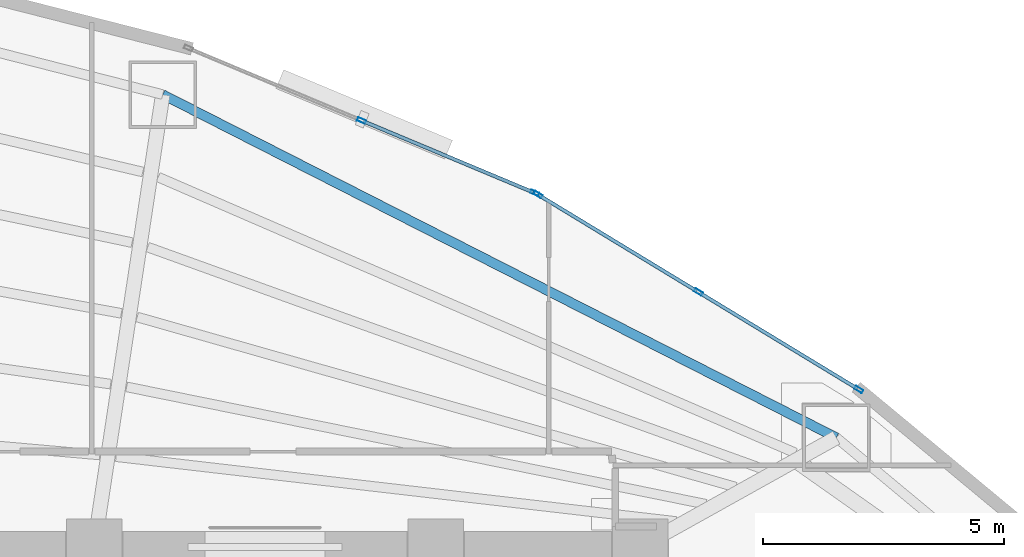
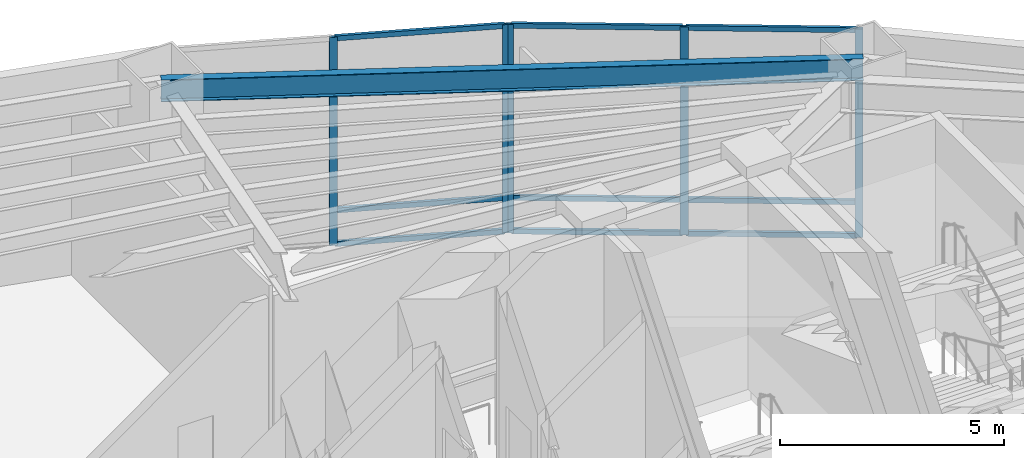
# One storey, part 10 of 19: 14 members, 1 beam, 2 elements without a shape of their own.
"""IFC4 building model written with IfcOpenShell, lengths in metres."""

from ifc_helpers import new_model, si_unit, direction, frame, origin, origin_2d, place, context, subcontext, project, spatial, hollow_rectangle, i_section, extrude, material, layer, layer_set, material_profile, profile_set, type_object, element, aggregate, save


model = new_model("IFC4")

# Units and contexts
model_context = context("Model", 3, precision=1e-05, world=origin(), true_north=direction((0.0, 1.0)))
body_context = subcontext(model_context, "Body", "Model", "MODEL_VIEW")
ifc_project = project(units=[si_unit("LENGTHUNIT", "METRE"), si_unit("AREAUNIT", "SQUARE_METRE"), si_unit("VOLUMEUNIT", "CUBIC_METRE"), si_unit("PLANEANGLEUNIT", "RADIAN"), si_unit("MASSUNIT", "GRAM", prefix="KILO")], contexts=[model_context])

# Site, building, storey
site_placement = place(None, origin())
site = spatial("IfcSite", under=ifc_project, at=site_placement, CompositionType="ELEMENT")
building_placement = place(site_placement, origin())
building = spatial("IfcBuilding", under=site, at=building_placement, Name="Menara Vayukalpa", CompositionType="ELEMENT")
storey_placement = place(building_placement, frame((0.0, 0.0, 12.0)))
storey = spatial("IfcBuildingStorey", under=building, at=storey_placement, Name="L02", CompositionType="ELEMENT", Elevation=12.0)

# Beam
ifc_material_1 = material(Name="Steel S355", Category="steel")
ifc_material_profile_1 = material_profile(ifc_material_1, i_section(OverallWidth=0.199951171875, OverallDepth=0.60009765625, WebThickness=0.010986328125, FlangeThickness=0.01708984375, at=origin_2d()), Name="WF 600x200x11x17")
ifc_profile_set_1 = profile_set([ifc_material_profile_1], Name="Steel S355")
beam_type = type_object("IfcBeamType", Name="BM-SP1", PredefinedType="SPANDREL", material=ifc_profile_set_1)
beam_placement = place(storey_placement, frame((37.47412109375, 29.07080078125, 5.3798828125), z_axis=(-0.891101872915, 0.453803318726, 0.0), x_axis=(-0.453803318726, -0.891101872915, 0.0)))
element("IfcBeam", 1, at=beam_placement, inside=storey, type_object=beam_type, Name="L02 Perimeter Spandrel Beam SP02", PredefinedType="SPANDREL", context=body_context, shape_type="SweptSolid", body=[
    extrude(i_section(OverallWidth=0.199951171875, OverallDepth=0.60009765625, WebThickness=0.010986328125, FlangeThickness=0.01708984375, at=origin_2d()), origin(), (0.0, 0.0, 1.0), 15.709228515625),
])

# Curtain wall, members
ifc_material_2 = material(Name="Anodised Terracotta Aluminium Alloy 6063-T6", Category="masonry")
ifc_layer = layer(ifc_material_2, 0.179931640625)
ifc_layer_set = layer_set([ifc_layer], Name="Anodised Terracotta Aluminium Alloy 6063-T6")
curtain_wall_type = type_object("IfcCurtainWallType", Name="CW-CW1", PredefinedType="USERDEFINED", material=ifc_layer_set)
curtain_wall_1_placement = place(storey_placement, origin())
curtain_wall_1 = element("IfcCurtainWall", 2, at=curtain_wall_1_placement, inside=storey, type_object=curtain_wall_type, Name="L02 Podium Unitised Ribbon Curtain Wall CW1 04", ObjectType="UNITISED", PredefinedType="USERDEFINED")
ifc_material_3 = material(Name="Anodised Terracotta Aluminium Alloy 6063-T6", Category="masonry")
ifc_material_profile_2 = material_profile(ifc_material_3, hollow_rectangle(XDim=0.074951171875, YDim=0.179931640625, WallThickness=0.00390625, at=origin_2d()), Name="ALU 75x180x4")
ifc_profile_set_2 = profile_set([ifc_material_profile_2], Name="Anodised Terracotta Aluminium Alloy 6063-T6")
member_type_1 = type_object("IfcMemberType", Name="CWM-CW1", PredefinedType="MULLION", material=ifc_profile_set_2)
member_1_placement = place(storey_placement, frame((37.941162109375, 30.070556640625, 0.0), z_axis=(0.0, 0.0, 1.0), x_axis=(-0.519179879231, -0.854664994604, 0.0)))
member_1 = element("IfcMember", 3, at=member_1_placement, type_object=member_type_1, Name="CW1 mullion 1", PredefinedType="MULLION", context=body_context, shape_type="SweptSolid", body=[
    extrude(hollow_rectangle(XDim=0.074951171875, YDim=0.179931640625, WallThickness=0.00390625, at=origin_2d()), origin(), (0.0, 0.0, 1.0), 5.679931640625),
])
member_2_placement = place(storey_placement, frame((34.607177734375, 32.095703125, 0.0), z_axis=(0.0, 0.0, 1.0), x_axis=(-0.519179879231, -0.854664994604, 0.0)))
member_2 = element("IfcMember", 4, at=member_2_placement, type_object=member_type_1, Name="CW1 mullion 2", PredefinedType="MULLION", context=body_context, shape_type="SweptSolid", body=[
    extrude(hollow_rectangle(XDim=0.074951171875, YDim=0.179931640625, WallThickness=0.00390625, at=origin_2d()), origin(), (0.0, 0.0, 1.0), 5.679931640625),
])
member_3_placement = place(storey_placement, frame((31.2734375, 34.12109375, 0.0), z_axis=(0.0, 0.0, 1.0), x_axis=(-0.519179879231, -0.854664994604, 0.0)))
member_3 = element("IfcMember", 5, at=member_3_placement, type_object=member_type_1, Name="CW1 mullion 3", PredefinedType="MULLION", context=body_context, shape_type="SweptSolid", body=[
    extrude(hollow_rectangle(XDim=0.074951171875, YDim=0.179931640625, WallThickness=0.00390625, at=origin_2d()), origin(), (0.0, 0.0, 1.0), 5.679931640625),
])

curtain_wall_2_placement = place(storey_placement, origin())
curtain_wall_2 = element("IfcCurtainWall", 6, at=curtain_wall_2_placement, inside=storey, type_object=curtain_wall_type, Name="L02 Podium Unitised Ribbon Curtain Wall CW1 05", ObjectType="UNITISED", PredefinedType="USERDEFINED")
member_4_placement = place(storey_placement, frame((31.206787109375, 34.155029296875, 0.0), z_axis=(0.0, 0.0, 1.0), x_axis=(-0.385890613077, -0.922544543499, 0.0)))
member_4 = element("IfcMember", 7, at=member_4_placement, type_object=member_type_1, Name="CW1 mullion 1", PredefinedType="MULLION", context=body_context, shape_type="SweptSolid", body=[
    extrude(hollow_rectangle(XDim=0.074951171875, YDim=0.179931640625, WallThickness=0.00390625, at=origin_2d()), origin(), (0.0, 0.0, 1.0), 5.679931640625),
])
member_5_placement = place(storey_placement, frame((27.608154296875, 35.66015625, 0.0), z_axis=(0.0, 0.0, 1.0), x_axis=(-0.385890613077, -0.922544543499, 0.0)))
member_5 = element("IfcMember", 8, at=member_5_placement, type_object=member_type_1, Name="CW1 mullion 2", PredefinedType="MULLION", context=body_context, shape_type="SweptSolid", body=[
    extrude(hollow_rectangle(XDim=0.074951171875, YDim=0.179931640625, WallThickness=0.00390625, at=origin_2d()), origin(), (0.0, 0.0, 1.0), 5.679931640625),
])

# Member
ifc_material_4 = material(Name="Anodised Terracotta Aluminium Alloy 6063-T6", Category="masonry")
ifc_material_profile_3 = material_profile(ifc_material_4, hollow_rectangle(XDim=0.074951171875, YDim=0.135009765625, WallThickness=0.00390625, at=origin_2d()), Name="ALU 75x135x4")
ifc_profile_set_3 = profile_set([ifc_material_profile_3], Name="Anodised Terracotta Aluminium Alloy 6063-T6")
member_type_2 = type_object("IfcMemberType", Name="CWT-CW1", PredefinedType="USERDEFINED", material=ifc_profile_set_3)
member_6_placement = place(storey_placement, frame((37.9091796875, 30.090087890625, 0.03759765625), z_axis=(-0.85465908819, 0.519189602144, 0.0), x_axis=(-0.519189602144, -0.85465908819, 0.0)))
member_6 = element("IfcMember", 9, at=member_6_placement, type_object=member_type_2, Name="CW1 transom 1.1", ObjectType="TRANSOM", PredefinedType="USERDEFINED", context=body_context, shape_type="SweptSolid", body=[
    extrude(hollow_rectangle(XDim=0.074951171875, YDim=0.135009765625, WallThickness=0.00390625, at=origin_2d()), origin(), (0.0, 0.0, 1.0), 3.825927734375),
])

member_7_placement = place(storey_placement, frame((37.9091796875, 30.090087890625, 0.949951171875), z_axis=(-0.85465908819, 0.519189602144, 0.0), x_axis=(-0.519189602144, -0.85465908819, 0.0)))
member_7 = element("IfcMember", 10, at=member_7_placement, type_object=member_type_2, Name="CW1 transom 1.2", ObjectType="TRANSOM", PredefinedType="USERDEFINED", context=body_context, shape_type="SweptSolid", body=[
    extrude(hollow_rectangle(XDim=0.074951171875, YDim=0.135009765625, WallThickness=0.00390625, at=origin_2d()), origin(), (0.0, 0.0, 1.0), 3.825927734375),
])

member_8_placement = place(storey_placement, frame((37.9091796875, 30.090087890625, 5.642578125), z_axis=(-0.85465908819, 0.519189602144, 0.0), x_axis=(-0.519189602144, -0.85465908819, 0.0)))
member_8 = element("IfcMember", 11, at=member_8_placement, type_object=member_type_2, Name="CW1 transom 1.3", ObjectType="TRANSOM", PredefinedType="USERDEFINED", context=body_context, shape_type="SweptSolid", body=[
    extrude(hollow_rectangle(XDim=0.074951171875, YDim=0.135009765625, WallThickness=0.00390625, at=origin_2d()), origin(), (0.0, 0.0, 1.0), 3.825927734375),
])

member_9_placement = place(storey_placement, frame((34.5751953125, 32.115234375, 0.03759765625), z_axis=(-0.85465908819, 0.519189602144, 0.0), x_axis=(-0.519189602144, -0.85465908819, 0.0)))
member_9 = element("IfcMember", 12, at=member_9_placement, type_object=member_type_2, Name="CW1 transom 2.1", ObjectType="TRANSOM", PredefinedType="USERDEFINED", context=body_context, shape_type="SweptSolid", body=[
    extrude(hollow_rectangle(XDim=0.074951171875, YDim=0.135009765625, WallThickness=0.00390625, at=origin_2d()), origin(), (0.0, 0.0, 1.0), 3.825927734375),
])

member_10_placement = place(storey_placement, frame((34.5751953125, 32.115234375, 0.949951171875), z_axis=(-0.85465908819, 0.519189602144, 0.0), x_axis=(-0.519189602144, -0.85465908819, 0.0)))
member_10 = element("IfcMember", 13, at=member_10_placement, type_object=member_type_2, Name="CW1 transom 2.2", ObjectType="TRANSOM", PredefinedType="USERDEFINED", context=body_context, shape_type="SweptSolid", body=[
    extrude(hollow_rectangle(XDim=0.074951171875, YDim=0.135009765625, WallThickness=0.00390625, at=origin_2d()), origin(), (0.0, 0.0, 1.0), 3.825927734375),
])

member_11_placement = place(storey_placement, frame((34.5751953125, 32.115234375, 5.642578125), z_axis=(-0.85465908819, 0.519189602144, 0.0), x_axis=(-0.519189602144, -0.85465908819, 0.0)))
member_11 = element("IfcMember", 14, at=member_11_placement, type_object=member_type_2, Name="CW1 transom 2.3", ObjectType="TRANSOM", PredefinedType="USERDEFINED", context=body_context, shape_type="SweptSolid", body=[
    extrude(hollow_rectangle(XDim=0.074951171875, YDim=0.135009765625, WallThickness=0.00390625, at=origin_2d()), origin(), (0.0, 0.0, 1.0), 3.825927734375),
])

aggregate(curtain_wall_1, [member_1, member_2, member_3, member_6, member_7, member_8, member_9, member_10, member_11])

member_12_placement = place(storey_placement, frame((31.172119140625, 34.16943359375, 0.03759765625), z_axis=(-0.922549314237, 0.385879207525, 0.0), x_axis=(-0.385879207525, -0.922549314237, 0.0)))
member_12 = element("IfcMember", 15, at=member_12_placement, type_object=member_type_2, Name="CW1 transom 1.1", ObjectType="TRANSOM", PredefinedType="USERDEFINED", context=body_context, shape_type="SweptSolid", body=[
    extrude(hollow_rectangle(XDim=0.074951171875, YDim=0.135009765625, WallThickness=0.00390625, at=origin_2d()), origin(), (0.0, 0.0, 1.0), 3.825927734375),
])

member_13_placement = place(storey_placement, frame((31.172119140625, 34.16943359375, 0.949951171875), z_axis=(-0.922549314237, 0.385879207525, 0.0), x_axis=(-0.385879207525, -0.922549314237, 0.0)))
member_13 = element("IfcMember", 16, at=member_13_placement, type_object=member_type_2, Name="CW1 transom 1.2", ObjectType="TRANSOM", PredefinedType="USERDEFINED", context=body_context, shape_type="SweptSolid", body=[
    extrude(hollow_rectangle(XDim=0.074951171875, YDim=0.135009765625, WallThickness=0.00390625, at=origin_2d()), origin(), (0.0, 0.0, 1.0), 3.825927734375),
])

member_14_placement = place(storey_placement, frame((31.172119140625, 34.16943359375, 5.642578125), z_axis=(-0.922549314237, 0.385879207525, 0.0), x_axis=(-0.385879207525, -0.922549314237, 0.0)))
member_14 = element("IfcMember", 17, at=member_14_placement, type_object=member_type_2, Name="CW1 transom 1.3", ObjectType="TRANSOM", PredefinedType="USERDEFINED", context=body_context, shape_type="SweptSolid", body=[
    extrude(hollow_rectangle(XDim=0.074951171875, YDim=0.135009765625, WallThickness=0.00390625, at=origin_2d()), origin(), (0.0, 0.0, 1.0), 3.825927734375),
])

aggregate(curtain_wall_2, [member_4, member_5, member_12, member_13, member_14])

save(model, "model.ifc")
